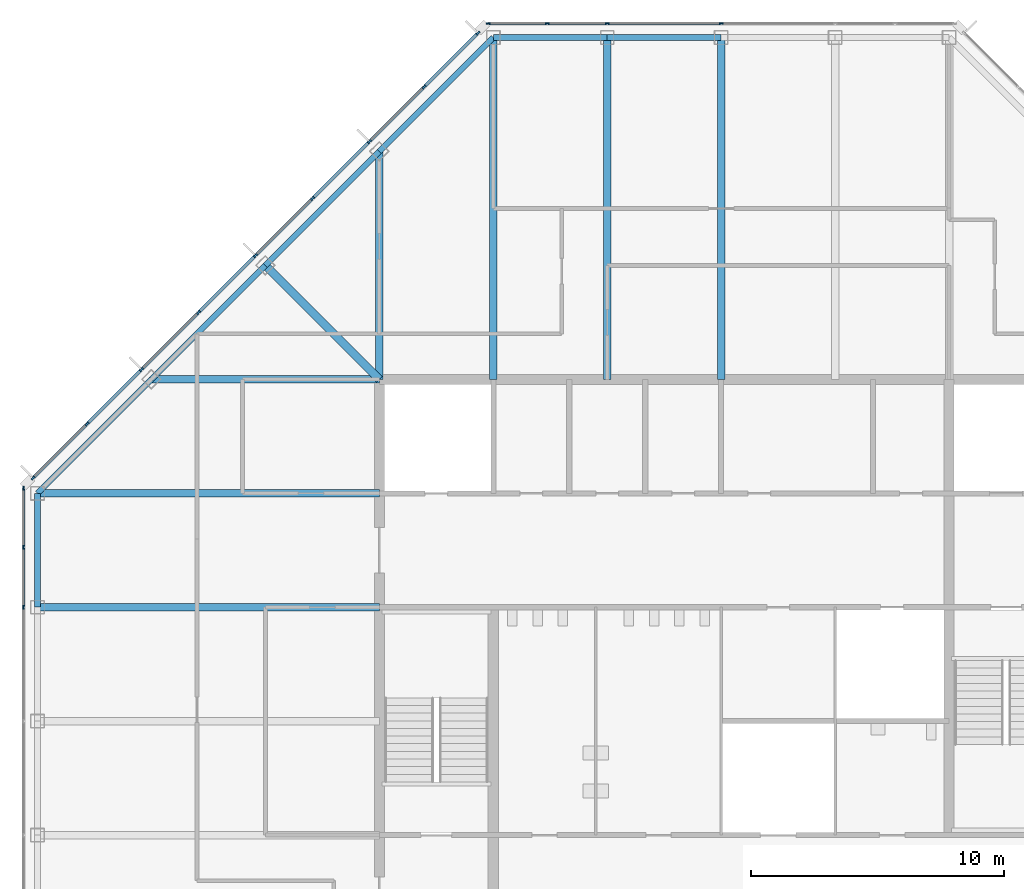
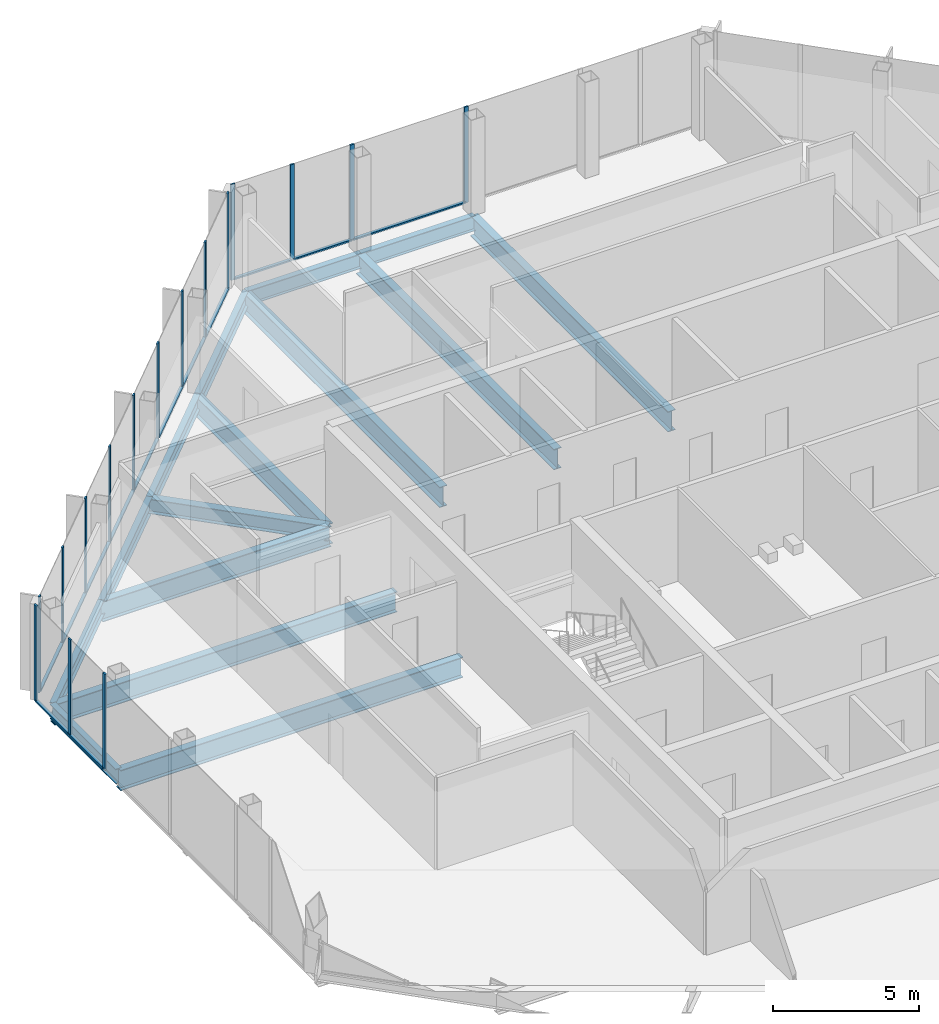
# One storey, part 6 of 13: 29 members, 15 beams, 3 elements without a shape of their own.
"""IFC4 building model written with IfcOpenShell, lengths in metres."""

from ifc_helpers import new_model, si_unit, direction, frame, origin, origin_2d, place, context, subcontext, project, spatial, rectangle, i_section, extrude, material, material_profile, profile_set, type_object, element, aggregate, save


model = new_model("IFC4")

# Units and contexts
model_context = context("Model", 3, precision=1e-05, world=origin(), true_north=direction((0.0, 1.0)))
body_context = subcontext(model_context, "Body", "Model", "MODEL_VIEW")
ifc_project = project(units=[si_unit("LENGTHUNIT", "METRE"), si_unit("AREAUNIT", "SQUARE_METRE"), si_unit("VOLUMEUNIT", "CUBIC_METRE"), si_unit("PLANEANGLEUNIT", "RADIAN"), si_unit("MASSUNIT", "GRAM", prefix="KILO")], contexts=[model_context])

# Site, building, storey
site_placement = place(None, origin())
site = spatial("IfcSite", under=ifc_project, at=site_placement, CompositionType="ELEMENT")
building_placement = place(site_placement, origin())
building = spatial("IfcBuilding", under=site, at=building_placement, Name="Corais Broadcast Tower", CompositionType="ELEMENT")
storey_placement = place(building_placement, frame((0.0, 0.0, 306.60009765625)))
storey = spatial("IfcBuildingStorey", under=building, at=storey_placement, Name="L72", CompositionType="ELEMENT", Elevation=306.60009765625)

# Beams
ifc_material_1 = material(Name="Steel ASTM A572 Grade 50", Category="steel")
ifc_material_profile_1 = material_profile(ifc_material_1, i_section(OverallWidth=0.323974609375, OverallDepth=0.611083984375, WebThickness=0.0126953125, FlangeThickness=0.01904296875, at=origin_2d()), Name="W610x155")
ifc_profile_set_1 = profile_set([ifc_material_profile_1], Name="Steel ASTM A572 Grade 50")
beam_type_1 = type_object("IfcBeamType", Name="Corner diagonal W610x155", PredefinedType="BEAM", material=ifc_profile_set_1)
beam_1_placement = place(storey_placement, frame((9.0, 45.0, -0.465576171875), z_axis=(0.707106781187, -0.707106781187, 0.0), x_axis=(0.707106781187, 0.707106781187, 0.0)))
element("IfcBeam", 1, at=beam_1_placement, inside=storey, type_object=beam_type_1, Name="B6 L/5 to K/6", PredefinedType="BEAM", context=body_context, shape_type="SweptSolid", body=[
    extrude(i_section(OverallWidth=0.323974609375, OverallDepth=0.611083984375, WebThickness=0.0126953125, FlangeThickness=0.01904296875, at=origin_2d()), origin(), (0.0, 0.0, 1.0), 6.364013671875),
])
ifc_material_2 = material(Name="Steel ASTM A572 Grade 50", Category="steel")
ifc_material_profile_2 = material_profile(ifc_material_2, i_section(OverallWidth=0.2939453125, OverallDepth=0.85107421875, WebThickness=0.01611328125, FlangeThickness=0.02685546875, at=origin_2d()), Name="W840x226")
ifc_profile_set_2 = profile_set([ifc_material_profile_2], Name="Steel ASTM A572 Grade 50")
beam_type_2 = type_object("IfcBeamType", Name="Floor beam W840x226", PredefinedType="BEAM", material=ifc_profile_set_2)
for number, where, z_axis, x_axis, name in (
    (2, (0.0, 31.5, -0.585693359375), (1.0, 0.0, 0.0), (0.0, 1.0, 0.0), "B1 H/3 to H/6"),
    (3, (0.0, 36.0, -0.585693359375), (1.0, 0.0, 0.0), (0.0, 1.0, 0.0), "B1 J/3 to J/6"),
):
    element("IfcBeam", number, at=place(storey_placement, frame(where, z_axis=z_axis, x_axis=x_axis)), inside=storey, type_object=beam_type_2, Name=name, PredefinedType="BEAM", context=body_context, shape_type="SweptSolid", body=[
        extrude(i_section(OverallWidth=0.2939453125, OverallDepth=0.85107421875, WebThickness=0.01611328125, FlangeThickness=0.02685546875, at=origin_2d()), origin(), (0.0, 0.0, 1.0), 13.5),
    ])
beam_2_placement = place(storey_placement, frame((13.5, 49.5, -0.585693359375), z_axis=(0.0, -1.0, 0.0), x_axis=(1.0, 0.0, 0.0)))
element("IfcBeam", 4, at=beam_2_placement, inside=storey, type_object=beam_type_2, Name="B1 M/6 to K/6", PredefinedType="BEAM", context=body_context, shape_type="SweptSolid", body=[
    extrude(i_section(OverallWidth=0.2939453125, OverallDepth=0.85107421875, WebThickness=0.01611328125, FlangeThickness=0.02685546875, at=origin_2d()), origin(), (0.0, 0.0, 1.0), 9.0),
])
for number, where, z_axis, x_axis, name in (
    (5, (18.0, 54.0, -0.585693359375), (0.0, -1.0, 0.0), (1.0, 0.0, 0.0), "B1 N/7 to K/7"),
    (6, (22.5, 54.0, -0.585693359375), (0.0, -1.0, 0.0), (1.0, 0.0, 0.0), "B1 N/8 to K/8"),
    (7, (27.0, 54.0, -0.585693359375), (0.0, -1.0, 0.0), (1.0, 0.0, 0.0), "B1 N/9 to K/9"),
):
    element("IfcBeam", number, at=place(storey_placement, frame(where, z_axis=z_axis, x_axis=x_axis)), inside=storey, type_object=beam_type_2, Name=name, PredefinedType="BEAM", context=body_context, shape_type="SweptSolid", body=[
        extrude(i_section(OverallWidth=0.2939453125, OverallDepth=0.85107421875, WebThickness=0.01611328125, FlangeThickness=0.02685546875, at=origin_2d()), origin(), (0.0, 0.0, 1.0), 13.5),
    ])
beam_3_placement = place(storey_placement, frame((4.5, 40.5, -0.585693359375), z_axis=(1.0, 0.0, 0.0), x_axis=(0.0, 1.0, 0.0)))
element("IfcBeam", 8, at=beam_3_placement, inside=storey, type_object=beam_type_2, Name="B1 K/4 to K/6", PredefinedType="BEAM", context=body_context, shape_type="SweptSolid", body=[
    extrude(i_section(OverallWidth=0.2939453125, OverallDepth=0.85107421875, WebThickness=0.01611328125, FlangeThickness=0.02685546875, at=origin_2d()), origin(), (0.0, 0.0, 1.0), 9.0),
])

# Curtain wall, members
ifc_material_3 = material(Name="Aluminium and glass", Category="aluminium")
curtain_wall_type = type_object("IfcCurtainWallType", Name="Unitised fritted curtain wall CW3", PredefinedType="NOTDEFINED", material=ifc_material_3)
curtain_wall_1_placement = place(storey_placement, origin())
curtain_wall_1 = element("IfcCurtainWall", 9, at=curtain_wall_1_placement, inside=storey, type_object=curtain_wall_type, Name="CW3 curtain wall L72 2", PredefinedType="NOTDEFINED")
ifc_material_4 = material(Name="Aluminium 6063-T6", Category="aluminium")
ifc_material_profile_3 = material_profile(ifc_material_4, rectangle(XDim=0.06494140625, YDim=0.159912109375, at=origin_2d()), Name="Mullion CW3 65x160")
ifc_profile_set_3 = profile_set([ifc_material_profile_3], Name="Aluminium 6063-T6")
member_type_1 = type_object("IfcMemberType", Name="Mullion CW3 65x160", PredefinedType="MULLION", material=ifc_profile_set_3)
member_1_placement = place(storey_placement, frame((-0.550048828125, 31.5, 0.0), z_axis=(0.0, 0.0, 1.0), x_axis=(-1.0, 0.0, 0.0)))
member_1 = element("IfcMember", 10, at=member_1_placement, type_object=member_type_1, Name="CW3 mullion 5", PredefinedType="MULLION", context=body_context, shape_type="SweptSolid", body=[
    extrude(rectangle(XDim=0.06494140625, YDim=0.159912109375, at=origin_2d()), origin(), (0.0, 0.0, 1.0), 4.0),
])
member_2_placement = place(storey_placement, frame((-0.550048828125, 33.864013671875, 0.0), z_axis=(0.0, 0.0, 1.0), x_axis=(-1.0, 0.0, 0.0)))
member_2 = element("IfcMember", 11, at=member_2_placement, type_object=member_type_1, Name="CW3 mullion 6", PredefinedType="MULLION", context=body_context, shape_type="SweptSolid", body=[
    extrude(rectangle(XDim=0.06494140625, YDim=0.159912109375, at=origin_2d()), origin(), (0.0, 0.0, 1.0), 4.0),
])
member_3_placement = place(storey_placement, frame((-0.550048828125, 36.1953125, 0.0), z_axis=(0.0, 0.0, 1.0), x_axis=(-1.0, 0.0, 0.0)))
member_3 = element("IfcMember", 12, at=member_3_placement, type_object=member_type_1, Name="CW3 mullion 7", PredefinedType="MULLION", context=body_context, shape_type="SweptSolid", body=[
    extrude(rectangle(XDim=0.06494140625, YDim=0.159912109375, at=origin_2d()), origin(), (0.0, 0.0, 1.0), 4.0),
])

curtain_wall_2_placement = place(storey_placement, origin())
curtain_wall_2 = element("IfcCurtainWall", 13, at=curtain_wall_2_placement, inside=storey, type_object=curtain_wall_type, Name="CW3 curtain wall L72 3", PredefinedType="NOTDEFINED")
member_4_placement = place(storey_placement, frame((-0.17333984375, 36.6044921875, 0.0), z_axis=(0.0, 0.0, 1.0), x_axis=(-0.707106781187, 0.707106781187, 0.0)))
member_4 = element("IfcMember", 14, at=member_4_placement, type_object=member_type_1, Name="CW3 mullion 1", PredefinedType="MULLION", context=body_context, shape_type="SweptSolid", body=[
    extrude(rectangle(XDim=0.06494140625, YDim=0.159912109375, at=origin_2d()), origin(), (0.0, 0.0, 1.0), 4.0),
])
member_5_placement = place(storey_placement, frame((1.957275390625, 38.735107421875, 0.0), z_axis=(0.0, 0.0, 1.0), x_axis=(-0.707106781187, 0.707106781187, 0.0)))
member_5 = element("IfcMember", 15, at=member_5_placement, type_object=member_type_1, Name="CW3 mullion 2", PredefinedType="MULLION", context=body_context, shape_type="SweptSolid", body=[
    extrude(rectangle(XDim=0.06494140625, YDim=0.159912109375, at=origin_2d()), origin(), (0.0, 0.0, 1.0), 4.0),
])
member_6_placement = place(storey_placement, frame((4.111083984375, 40.888916015625, 0.0), z_axis=(0.0, 0.0, 1.0), x_axis=(-0.707106781187, 0.707106781187, 0.0)))
member_6 = element("IfcMember", 16, at=member_6_placement, type_object=member_type_1, Name="CW3 mullion 3", PredefinedType="MULLION", context=body_context, shape_type="SweptSolid", body=[
    extrude(rectangle(XDim=0.06494140625, YDim=0.159912109375, at=origin_2d()), origin(), (0.0, 0.0, 1.0), 4.0),
])
member_7_placement = place(storey_placement, frame((6.361083984375, 43.138916015625, 0.0), z_axis=(0.0, 0.0, 1.0), x_axis=(-0.707106781187, 0.707106781187, 0.0)))
member_7 = element("IfcMember", 17, at=member_7_placement, type_object=member_type_1, Name="CW3 mullion 4", PredefinedType="MULLION", context=body_context, shape_type="SweptSolid", body=[
    extrude(rectangle(XDim=0.06494140625, YDim=0.159912109375, at=origin_2d()), origin(), (0.0, 0.0, 1.0), 4.0),
])
member_8_placement = place(storey_placement, frame((8.611083984375, 45.388916015625, 0.0), z_axis=(0.0, 0.0, 1.0), x_axis=(-0.707106781187, 0.707106781187, 0.0)))
member_8 = element("IfcMember", 18, at=member_8_placement, type_object=member_type_1, Name="CW3 mullion 5", PredefinedType="MULLION", context=body_context, shape_type="SweptSolid", body=[
    extrude(rectangle(XDim=0.06494140625, YDim=0.159912109375, at=origin_2d()), origin(), (0.0, 0.0, 1.0), 4.0),
])
member_9_placement = place(storey_placement, frame((10.861083984375, 47.638916015625, 0.0), z_axis=(0.0, 0.0, 1.0), x_axis=(-0.707106781187, 0.707106781187, 0.0)))
member_9 = element("IfcMember", 19, at=member_9_placement, type_object=member_type_1, Name="CW3 mullion 6", PredefinedType="MULLION", context=body_context, shape_type="SweptSolid", body=[
    extrude(rectangle(XDim=0.06494140625, YDim=0.159912109375, at=origin_2d()), origin(), (0.0, 0.0, 1.0), 4.0),
])
member_10_placement = place(storey_placement, frame((13.111083984375, 49.888916015625, 0.0), z_axis=(0.0, 0.0, 1.0), x_axis=(-0.707106781187, 0.707106781187, 0.0)))
member_10 = element("IfcMember", 20, at=member_10_placement, type_object=member_type_1, Name="CW3 mullion 7", PredefinedType="MULLION", context=body_context, shape_type="SweptSolid", body=[
    extrude(rectangle(XDim=0.06494140625, YDim=0.159912109375, at=origin_2d()), origin(), (0.0, 0.0, 1.0), 4.0),
])
member_11_placement = place(storey_placement, frame((15.264892578125, 52.042724609375, 0.0), z_axis=(0.0, 0.0, 1.0), x_axis=(-0.707106781187, 0.707106781187, 0.0)))
member_11 = element("IfcMember", 21, at=member_11_placement, type_object=member_type_1, Name="CW3 mullion 8", PredefinedType="MULLION", context=body_context, shape_type="SweptSolid", body=[
    extrude(rectangle(XDim=0.06494140625, YDim=0.159912109375, at=origin_2d()), origin(), (0.0, 0.0, 1.0), 4.0),
])
member_12_placement = place(storey_placement, frame((17.3955078125, 54.17333984375, 0.0), z_axis=(0.0, 0.0, 1.0), x_axis=(-0.707106781187, 0.707106781187, 0.0)))
member_12 = element("IfcMember", 22, at=member_12_placement, type_object=member_type_1, Name="CW3 mullion 9", PredefinedType="MULLION", context=body_context, shape_type="SweptSolid", body=[
    extrude(rectangle(XDim=0.06494140625, YDim=0.159912109375, at=origin_2d()), origin(), (0.0, 0.0, 1.0), 4.0),
])

curtain_wall_3_placement = place(storey_placement, origin())
curtain_wall_3 = element("IfcCurtainWall", 23, at=curtain_wall_3_placement, inside=storey, type_object=curtain_wall_type, Name="CW3 curtain wall L72 4", PredefinedType="NOTDEFINED")
member_13_placement = place(storey_placement, frame((17.8046875, 54.550048828125, 0.0), z_axis=(0.0, 0.0, 1.0), x_axis=(0.0, 1.0, 0.0)))
member_13 = element("IfcMember", 24, at=member_13_placement, type_object=member_type_1, Name="CW3 mullion 1", PredefinedType="MULLION", context=body_context, shape_type="SweptSolid", body=[
    extrude(rectangle(XDim=0.06494140625, YDim=0.159912109375, at=origin_2d()), origin(), (0.0, 0.0, 1.0), 4.0),
])
member_14_placement = place(storey_placement, frame((20.135986328125, 54.550048828125, 0.0), z_axis=(0.0, 0.0, 1.0), x_axis=(0.0, 1.0, 0.0)))
member_14 = element("IfcMember", 25, at=member_14_placement, type_object=member_type_1, Name="CW3 mullion 2", PredefinedType="MULLION", context=body_context, shape_type="SweptSolid", body=[
    extrude(rectangle(XDim=0.06494140625, YDim=0.159912109375, at=origin_2d()), origin(), (0.0, 0.0, 1.0), 4.0),
])
member_15_placement = place(storey_placement, frame((22.5, 54.550048828125, 0.0), z_axis=(0.0, 0.0, 1.0), x_axis=(0.0, 1.0, 0.0)))
member_15 = element("IfcMember", 26, at=member_15_placement, type_object=member_type_1, Name="CW3 mullion 3", PredefinedType="MULLION", context=body_context, shape_type="SweptSolid", body=[
    extrude(rectangle(XDim=0.06494140625, YDim=0.159912109375, at=origin_2d()), origin(), (0.0, 0.0, 1.0), 4.0),
])
member_16_placement = place(storey_placement, frame((27.0, 54.550048828125, 0.0), z_axis=(0.0, 0.0, 1.0), x_axis=(0.0, 1.0, 0.0)))
member_16 = element("IfcMember", 27, at=member_16_placement, type_object=member_type_1, Name="CW3 mullion 4", PredefinedType="MULLION", context=body_context, shape_type="SweptSolid", body=[
    extrude(rectangle(XDim=0.06494140625, YDim=0.159912109375, at=origin_2d()), origin(), (0.0, 0.0, 1.0), 4.0),
])

# Beams
ifc_material_5 = material(Name="Steel ASTM A572 Grade 50", Category="steel")
ifc_material_profile_4 = material_profile(ifc_material_5, i_section(OverallWidth=0.22998046875, OverallDepth=0.616943359375, WebThickness=0.01318359375, FlangeThickness=0.022216796875, at=origin_2d()), Name="W610x140")
ifc_profile_set_4 = profile_set([ifc_material_profile_4], Name="Steel ASTM A572 Grade 50")
beam_type_3 = type_object("IfcBeamType", Name="Spandrel W610x140", PredefinedType="BEAM", material=ifc_profile_set_4)
beam_4_placement = place(storey_placement, frame((0.0, 36.0, -0.468505859375), z_axis=(0.0, -1.0, 0.0), x_axis=(1.0, 0.0, 0.0)))
element("IfcBeam", 28, at=beam_4_placement, inside=storey, type_object=beam_type_3, Name="SB3 J/3 to H/3", PredefinedType="BEAM", context=body_context, shape_type="SweptSolid", body=[
    extrude(i_section(OverallWidth=0.22998046875, OverallDepth=0.616943359375, WebThickness=0.01318359375, FlangeThickness=0.022216796875, at=origin_2d()), origin(), (0.0, 0.0, 1.0), 4.5),
])
for number, where, z_axis, x_axis, name in (
    (29, (13.5, 49.5, -0.468505859375), (-0.707106781187, -0.707106781187, 0.0), (0.707106781187, -0.707106781187, 0.0), "SB3 M/6 to L/5"),
    (30, (18.0, 54.0, -0.468505859375), (-0.707106781187, -0.707106781187, 0.0), (0.707106781187, -0.707106781187, 0.0), "SB3 N/7 to M/6"),
):
    element("IfcBeam", number, at=place(storey_placement, frame(where, z_axis=z_axis, x_axis=x_axis)), inside=storey, type_object=beam_type_3, Name=name, PredefinedType="BEAM", context=body_context, shape_type="SweptSolid", body=[
        extrude(i_section(OverallWidth=0.22998046875, OverallDepth=0.616943359375, WebThickness=0.01318359375, FlangeThickness=0.022216796875, at=origin_2d()), origin(), (0.0, 0.0, 1.0), 6.364013671875),
    ])
for number, where, z_axis, x_axis, name in (
    (31, (22.5, 54.0, -0.468505859375), (-1.0, 0.0, 0.0), (0.0, -1.0, 0.0), "SB3 N/8 to N/7"),
    (32, (27.0, 54.0, -0.468505859375), (-1.0, 0.0, 0.0), (0.0, -1.0, 0.0), "SB3 N/9 to N/8"),
):
    element("IfcBeam", number, at=place(storey_placement, frame(where, z_axis=z_axis, x_axis=x_axis)), inside=storey, type_object=beam_type_3, Name=name, PredefinedType="BEAM", context=body_context, shape_type="SweptSolid", body=[
        extrude(i_section(OverallWidth=0.22998046875, OverallDepth=0.616943359375, WebThickness=0.01318359375, FlangeThickness=0.022216796875, at=origin_2d()), origin(), (0.0, 0.0, 1.0), 4.5),
    ])
for number, where, z_axis, x_axis, name in (
    (33, (4.5, 40.5, -0.468505859375), (-0.707106781187, -0.707106781187, 0.0), (0.707106781187, -0.707106781187, 0.0), "SB3 K/4 to J/3"),
    (34, (9.0, 45.0, -0.468505859375), (-0.707106781187, -0.707106781187, 0.0), (0.707106781187, -0.707106781187, 0.0), "SB3 L/5 to K/4"),
):
    element("IfcBeam", number, at=place(storey_placement, frame(where, z_axis=z_axis, x_axis=x_axis)), inside=storey, type_object=beam_type_3, Name=name, PredefinedType="BEAM", context=body_context, shape_type="SweptSolid", body=[
        extrude(i_section(OverallWidth=0.22998046875, OverallDepth=0.616943359375, WebThickness=0.01318359375, FlangeThickness=0.022216796875, at=origin_2d()), origin(), (0.0, 0.0, 1.0), 6.364013671875),
    ])

# Member
ifc_material_6 = material(Name="Aluminium 6063-T6", Category="aluminium")
ifc_material_profile_5 = material_profile(ifc_material_6, rectangle(XDim=0.1201171875, YDim=0.06494140625, at=origin_2d()), Name="Transom CW3 65x120")
ifc_profile_set_5 = profile_set([ifc_material_profile_5], Name="Aluminium 6063-T6")
member_type_2 = type_object("IfcMemberType", Name="Transom CW3 65x120", PredefinedType="USERDEFINED", material=ifc_profile_set_5)
member_17_placement = place(storey_placement, frame((-0.550048828125, 31.532470703125, 0.032470703125), z_axis=(0.0, 1.0, 0.0), x_axis=(-1.0, 0.0, 0.0)))
member_17 = element("IfcMember", 35, at=member_17_placement, type_object=member_type_2, Name="CW3 transom 5.1", ObjectType="TRANSOM", PredefinedType="USERDEFINED", context=body_context, shape_type="SweptSolid", body=[
    extrude(rectangle(XDim=0.1201171875, YDim=0.06494140625, at=origin_2d()), origin(), (0.0, 0.0, 1.0), 2.298828125),
])

member_18_placement = place(storey_placement, frame((-0.550048828125, 33.896484375, 0.032470703125), z_axis=(0.0, 1.0, 0.0), x_axis=(-1.0, 0.0, 0.0)))
member_18 = element("IfcMember", 36, at=member_18_placement, type_object=member_type_2, Name="CW3 transom 6.1", ObjectType="TRANSOM", PredefinedType="USERDEFINED", context=body_context, shape_type="SweptSolid", body=[
    extrude(rectangle(XDim=0.1201171875, YDim=0.06494140625, at=origin_2d()), origin(), (0.0, 0.0, 1.0), 2.266357421875),
])

aggregate(curtain_wall_1, [member_1, member_2, member_3, member_17, member_18])

member_19_placement = place(storey_placement, frame((-0.150390625, 36.62744140625, 0.032470703125), z_axis=(0.707106781187, 0.707106781187, 0.0), x_axis=(-0.707106781187, 0.707106781187, 0.0)))
member_19 = element("IfcMember", 37, at=member_19_placement, type_object=member_type_2, Name="CW3 transom 1.1", ObjectType="TRANSOM", PredefinedType="USERDEFINED", context=body_context, shape_type="SweptSolid", body=[
    extrude(rectangle(XDim=0.1201171875, YDim=0.06494140625, at=origin_2d()), origin(), (0.0, 0.0, 1.0), 2.9482421875),
])

member_20_placement = place(storey_placement, frame((1.980224609375, 38.758056640625, 0.032470703125), z_axis=(0.707106781187, 0.707106781187, 0.0), x_axis=(-0.707106781187, 0.707106781187, 0.0)))
member_20 = element("IfcMember", 38, at=member_20_placement, type_object=member_type_2, Name="CW3 transom 2.1", ObjectType="TRANSOM", PredefinedType="USERDEFINED", context=body_context, shape_type="SweptSolid", body=[
    extrude(rectangle(XDim=0.1201171875, YDim=0.06494140625, at=origin_2d()), origin(), (0.0, 0.0, 1.0), 2.98095703125),
])

member_21_placement = place(storey_placement, frame((4.134033203125, 40.911865234375, 0.032470703125), z_axis=(0.707106781187, 0.707106781187, 0.0), x_axis=(-0.707106781187, 0.707106781187, 0.0)))
member_21 = element("IfcMember", 39, at=member_21_placement, type_object=member_type_2, Name="CW3 transom 3.1", ObjectType="TRANSOM", PredefinedType="USERDEFINED", context=body_context, shape_type="SweptSolid", body=[
    extrude(rectangle(XDim=0.1201171875, YDim=0.06494140625, at=origin_2d()), origin(), (0.0, 0.0, 1.0), 3.1171875),
])

member_22_placement = place(storey_placement, frame((6.384033203125, 43.161865234375, 0.032470703125), z_axis=(0.707106781187, 0.707106781187, 0.0), x_axis=(-0.707106781187, 0.707106781187, 0.0)))
member_22 = element("IfcMember", 40, at=member_22_placement, type_object=member_type_2, Name="CW3 transom 4.1", ObjectType="TRANSOM", PredefinedType="USERDEFINED", context=body_context, shape_type="SweptSolid", body=[
    extrude(rectangle(XDim=0.1201171875, YDim=0.06494140625, at=origin_2d()), origin(), (0.0, 0.0, 1.0), 3.1171875),
])

member_23_placement = place(storey_placement, frame((8.634033203125, 45.411865234375, 0.032470703125), z_axis=(0.707106781187, 0.707106781187, 0.0), x_axis=(-0.707106781187, 0.707106781187, 0.0)))
member_23 = element("IfcMember", 41, at=member_23_placement, type_object=member_type_2, Name="CW3 transom 5.1", ObjectType="TRANSOM", PredefinedType="USERDEFINED", context=body_context, shape_type="SweptSolid", body=[
    extrude(rectangle(XDim=0.1201171875, YDim=0.06494140625, at=origin_2d()), origin(), (0.0, 0.0, 1.0), 3.1171875),
])

member_24_placement = place(storey_placement, frame((10.884033203125, 47.661865234375, 0.032470703125), z_axis=(0.707106781187, 0.707106781187, 0.0), x_axis=(-0.707106781187, 0.707106781187, 0.0)))
member_24 = element("IfcMember", 42, at=member_24_placement, type_object=member_type_2, Name="CW3 transom 6.1", ObjectType="TRANSOM", PredefinedType="USERDEFINED", context=body_context, shape_type="SweptSolid", body=[
    extrude(rectangle(XDim=0.1201171875, YDim=0.06494140625, at=origin_2d()), origin(), (0.0, 0.0, 1.0), 3.1171875),
])

member_25_placement = place(storey_placement, frame((13.134033203125, 49.911865234375, 0.032470703125), z_axis=(0.70714773134, 0.707065828661, 0.0), x_axis=(-0.707065828661, 0.70714773134, 0.0)))
member_25 = element("IfcMember", 43, at=member_25_placement, type_object=member_type_2, Name="CW3 transom 7.1", ObjectType="TRANSOM", PredefinedType="USERDEFINED", context=body_context, shape_type="SweptSolid", body=[
    extrude(rectangle(XDim=0.1201171875, YDim=0.06494140625, at=origin_2d()), origin(), (0.0, 0.0, 1.0), 2.98095703125),
])

member_26_placement = place(storey_placement, frame((15.287841796875, 52.065673828125, 0.032470703125), z_axis=(0.707106781187, 0.707106781187, 0.0), x_axis=(-0.707106781187, 0.707106781187, 0.0)))
member_26 = element("IfcMember", 44, at=member_26_placement, type_object=member_type_2, Name="CW3 transom 8.1", ObjectType="TRANSOM", PredefinedType="USERDEFINED", context=body_context, shape_type="SweptSolid", body=[
    extrude(rectangle(XDim=0.1201171875, YDim=0.06494140625, at=origin_2d()), origin(), (0.0, 0.0, 1.0), 2.9482421875),
])

aggregate(curtain_wall_2, [member_4, member_5, member_6, member_7, member_8, member_9, member_10, member_11, member_12, member_19, member_20, member_21, member_22, member_23, member_24, member_25, member_26])

member_27_placement = place(storey_placement, frame((17.837158203125, 54.550048828125, 0.032470703125), z_axis=(1.0, 0.0, 0.0), x_axis=(0.0, 1.0, 0.0)))
member_27 = element("IfcMember", 45, at=member_27_placement, type_object=member_type_2, Name="CW3 transom 1.1", ObjectType="TRANSOM", PredefinedType="USERDEFINED", context=body_context, shape_type="SweptSolid", body=[
    extrude(rectangle(XDim=0.1201171875, YDim=0.06494140625, at=origin_2d()), origin(), (0.0, 0.0, 1.0), 2.266357421875),
])

member_28_placement = place(storey_placement, frame((20.168701171875, 54.550048828125, 0.032470703125), z_axis=(1.0, 0.0, 0.0), x_axis=(0.0, 1.0, 0.0)))
member_28 = element("IfcMember", 46, at=member_28_placement, type_object=member_type_2, Name="CW3 transom 2.1", ObjectType="TRANSOM", PredefinedType="USERDEFINED", context=body_context, shape_type="SweptSolid", body=[
    extrude(rectangle(XDim=0.1201171875, YDim=0.06494140625, at=origin_2d()), origin(), (0.0, 0.0, 1.0), 2.298828125),
])

member_29_placement = place(storey_placement, frame((22.532470703125, 54.550048828125, 0.032470703125), z_axis=(1.0, 0.0, 0.0), x_axis=(0.0, 1.0, 0.0)))
member_29 = element("IfcMember", 47, at=member_29_placement, type_object=member_type_2, Name="CW3 transom 3.1", ObjectType="TRANSOM", PredefinedType="USERDEFINED", context=body_context, shape_type="SweptSolid", body=[
    extrude(rectangle(XDim=0.1201171875, YDim=0.06494140625, at=origin_2d()), origin(), (0.0, 0.0, 1.0), 4.43505859375),
])

aggregate(curtain_wall_3, [member_13, member_14, member_15, member_16, member_27, member_28, member_29])

save(model, "model.ifc")
